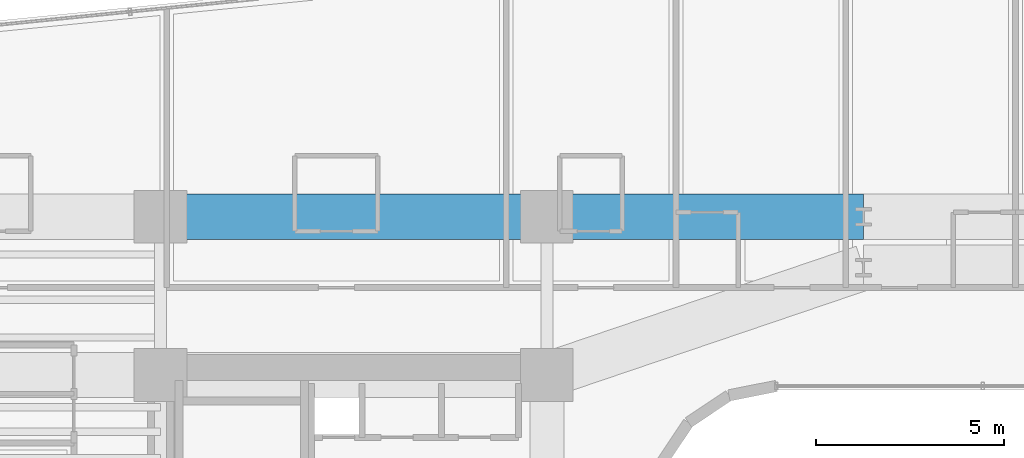
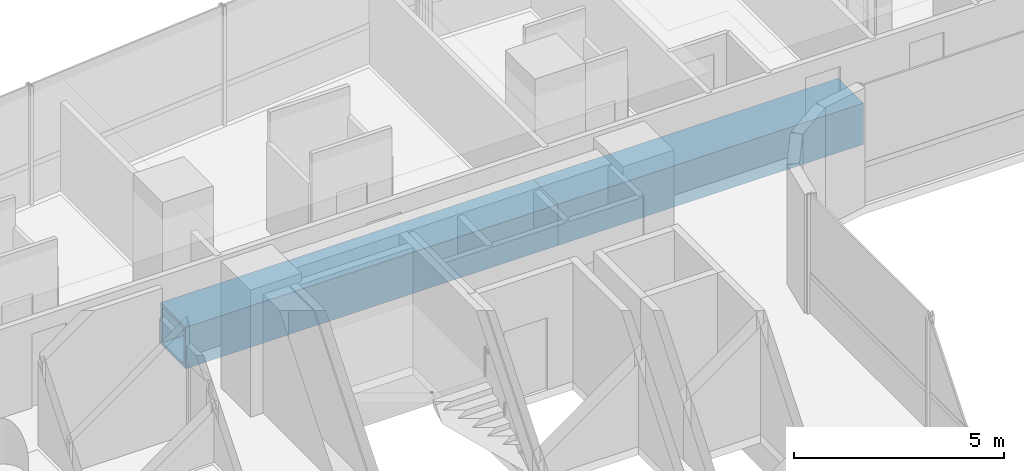
# One storey, part 24 of 50: 2 beams.
"""IFC4 building model written with IfcOpenShell, lengths in metres."""

from ifc_helpers import new_model, si_unit, direction, frame, origin, origin_2d, place, context, subcontext, project, spatial, hollow_rectangle, extrude, source, transform, mapped, material, material_profile, profile_set, type_object, element, save


model = new_model("IFC4")

# Units and contexts
model_context = context("Model", 3, precision=1e-05, world=origin(), true_north=direction((0.0, 1.0)))
body_context = subcontext(model_context, "Body", "Model", "MODEL_VIEW")
ifc_project = project(units=[si_unit("LENGTHUNIT", "METRE"), si_unit("AREAUNIT", "SQUARE_METRE"), si_unit("VOLUMEUNIT", "CUBIC_METRE"), si_unit("PLANEANGLEUNIT", "RADIAN"), si_unit("MASSUNIT", "GRAM", prefix="KILO")], contexts=[model_context])

# Site, building, storey
site_placement = place(None, origin())
site = spatial("IfcSite", under=ifc_project, at=site_placement, CompositionType="ELEMENT")
building_placement = place(site_placement, origin())
building = spatial("IfcBuilding", under=site, at=building_placement, Name="Valdorenza Pilgrim Sanctuary Tower", CompositionType="ELEMENT")
storey_placement = place(building_placement, frame((0.0, 0.0, 26.0)))
storey = spatial("IfcBuildingStorey", under=building, at=storey_placement, Name="L05", CompositionType="ELEMENT", Elevation=26.0)

# Beams
ifc_material = material(Name="Steel ASTM A572 Grade 42", Category="steel")
ifc_material_profile = material_profile(ifc_material, hollow_rectangle(XDim=1.199951171875, YDim=1.199951171875, WallThickness=0.090087890625, at=origin_2d()), Name="BOX 1200x1200x90")
ifc_profile_set = profile_set([ifc_material_profile], Name="Steel ASTM A572 Grade 42")
beam_type = type_object("IfcBeamType", Name="STR-BM-TRF-1200", PredefinedType="BEAM", material=ifc_profile_set)
shared_shape_1 = source(origin(), body_context, "Body", "SweptSolid", [
    extrude(hollow_rectangle(XDim=1.199951171875, YDim=1.199951171875, WallThickness=0.090087890625, at=origin_2d()), origin(), (0.0, 0.0, 1.0), 10.25),
])
beam_1_placement = place(storey_placement, frame((-22.64990234375, 14.800048828125, -0.840087890625), z_axis=(1.0, 0.0, 0.0), x_axis=(0.0, 1.0, 0.0)))
element("IfcBeam", 1, at=beam_1_placement, inside=storey, type_object=beam_type, Name="L05 Transfer Girder CA-XC-N2", PredefinedType="BEAM", context=body_context, shape_type="MappedRepresentation", body=[
    mapped(shared_shape_1, transform((0.0, 0.0, 0.0), x_axis=(1.0, 0.0, 0.0), y_axis=(0.0, 1.0, 0.0), z_axis=(0.0, 0.0, 1.0), scale=1.0)),
])
shared_shape_2 = source(origin(), body_context, "Body", "SweptSolid", [
    extrude(hollow_rectangle(XDim=1.199951171875, YDim=1.199951171875, WallThickness=0.090087890625, at=origin_2d()), origin(), (0.0, 0.0, 1.0), 8.39990234375),
])
beam_2_placement = place(storey_placement, frame((-12.39990234375, 14.800048828125, -0.840087890625), z_axis=(1.0, 0.0, 0.0), x_axis=(0.0, 1.0, 0.0)))
element("IfcBeam", 2, at=beam_2_placement, inside=storey, type_object=beam_type, Name="L05 Podium Arch Transfer Girder TRF-L05-4", PredefinedType="BEAM", context=body_context, shape_type="MappedRepresentation", body=[
    mapped(shared_shape_2, transform((0.0, 0.0, 0.0), x_axis=(1.0, 0.0, 0.0), y_axis=(0.0, 1.0, 0.0), z_axis=(0.0, 0.0, 1.0), scale=1.0)),
])

save(model, "model.ifc")
